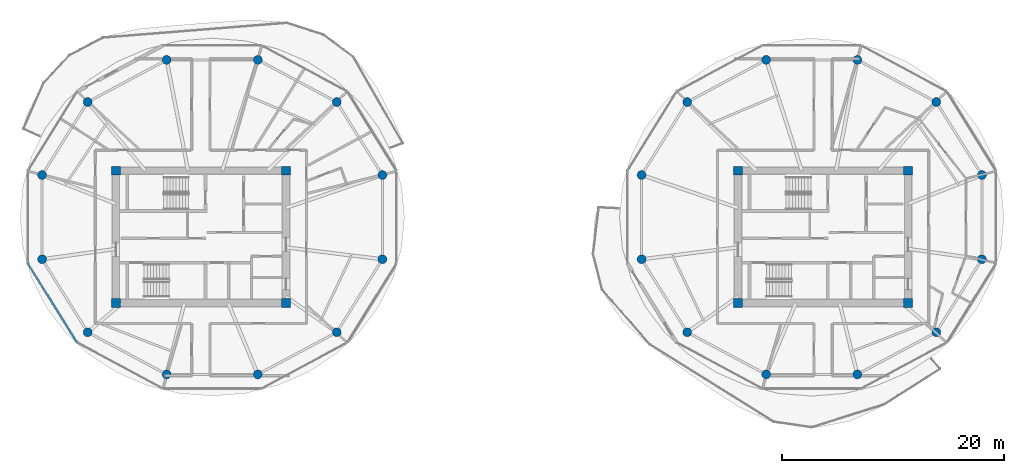
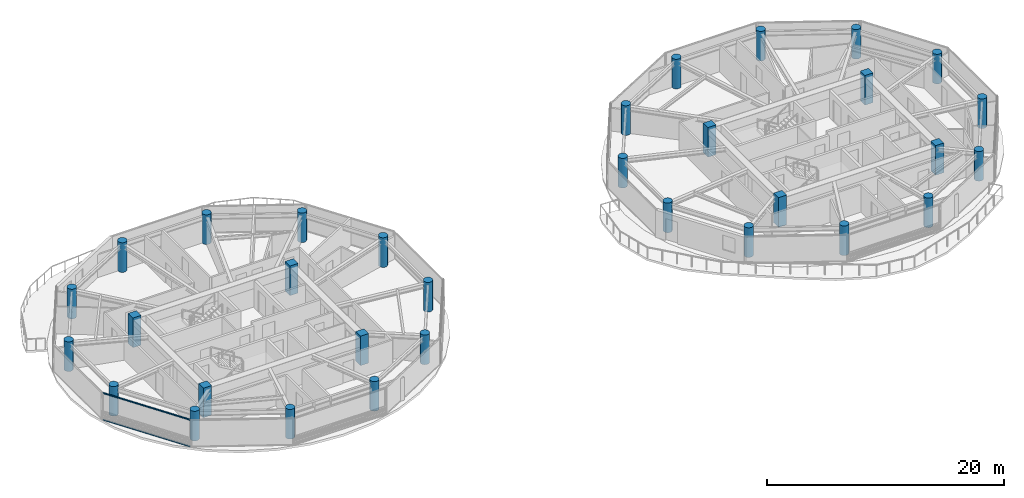
# One storey, part 1 of 21: 32 columns, 2 members, 1 element without a shape of its own.
"""IFC4 building model written with IfcOpenShell, lengths in metres."""

from ifc_helpers import new_model, si_unit, direction, frame, origin, origin_2d, place, context, subcontext, project, spatial, rectangle, circle, extrude, source, transform, mapped, material, layer, layer_set, material_profile, profile_set, type_object, type_shapes, element, aggregate, save


model = new_model("IFC4")

# Units and contexts
model_context = context("Model", 3, precision=1e-05, world=origin(), true_north=direction((0.0, 1.0)))
body_context = subcontext(model_context, "Body", "Model", "MODEL_VIEW")
ifc_project = project(units=[si_unit("LENGTHUNIT", "METRE"), si_unit("AREAUNIT", "SQUARE_METRE"), si_unit("VOLUMEUNIT", "CUBIC_METRE"), si_unit("PLANEANGLEUNIT", "RADIAN"), si_unit("MASSUNIT", "GRAM", prefix="KILO")], contexts=[model_context])

# Site, building, storey
site_placement = place(None, origin())
site = spatial("IfcSite", under=ifc_project, at=site_placement, CompositionType="ELEMENT")
building_placement = place(site_placement, origin())
building = spatial("IfcBuilding", under=site, at=building_placement, Name="Norrkilde Senior Care Towers", CompositionType="ELEMENT")
storey_placement = place(building_placement, frame((0.0, 0.0, 149.550048828125)))
storey = spatial("IfcBuildingStorey", under=building, at=storey_placement, Name="L46", CompositionType="ELEMENT", Elevation=149.550048828125)

# Columns
ifc_material_1 = material(Name="Concrete C60/75", Category="concrete")
ifc_material_profile_1 = material_profile(ifc_material_1, rectangle(XDim=0.800048828125, YDim=0.800048828125, at=origin_2d()), Name="RC COL 800x800")
ifc_profile_set_1 = profile_set([ifc_material_profile_1], Name="Concrete C60/75")
column_type_1 = type_object("IfcColumnType", Name="Column Core Corner Z3-Z4 800", PredefinedType="COLUMN", material=ifc_profile_set_1)
shared_shape_1 = source(origin(), body_context, "Body", "SweptSolid", [
    extrude(rectangle(XDim=0.800048828125, YDim=0.800048828125, at=origin_2d()), origin(), (0.0, 0.0, 1.0), 3.050048828125),
])
type_shapes(column_type_1, [shared_shape_1])
for number, where, z_axis, x_axis, name in (
    (1, (-35.64990234375, -5.949951171875, 0.0), (0.0, 0.0, 1.0), (1.0, 0.0, 0.0), "L46 Core W Corner Column 1"),
    (2, (-20.35009765625, -5.949951171875, 0.0), (0.0, 0.0, 1.0), (1.0, 0.0, 0.0), "L46 Core W Corner Column 2"),
    (3, (-20.35009765625, 5.949951171875, 0.0), (0.0, 0.0, 1.0), (1.0, 0.0, 0.0), "L46 Core W Corner Column 3"),
    (4, (-35.64990234375, 5.949951171875, 0.0), (0.0, 0.0, 1.0), (1.0, 0.0, 0.0), "L46 Core W Corner Column 4"),
    (5, (20.35009765625, -5.949951171875, 0.0), (0.0, 0.0, 1.0), (1.0, 0.0, 0.0), "L46 Core E Corner Column 1"),
    (6, (35.64990234375, -5.949951171875, 0.0), (0.0, 0.0, 1.0), (1.0, 0.0, 0.0), "L46 Core E Corner Column 2"),
    (7, (35.64990234375, 5.949951171875, 0.0), (0.0, 0.0, 1.0), (1.0, 0.0, 0.0), "L46 Core E Corner Column 3"),
    (8, (20.35009765625, 5.949951171875, 0.0), (0.0, 0.0, 1.0), (1.0, 0.0, 0.0), "L46 Core E Corner Column 4"),
):
    element("IfcColumn", number, at=place(storey_placement, frame(where, z_axis=z_axis, x_axis=x_axis)), inside=storey, type_object=column_type_1, Name=name, PredefinedType="COLUMN", context=body_context, shape_type="MappedRepresentation", body=[
        mapped(shared_shape_1, transform((0.0, 0.0, 0.0), x_axis=(1.0, 0.0, 0.0), y_axis=(0.0, 1.0, 0.0), z_axis=(0.0, 0.0, 1.0), scale=1.0)),
    ])
ifc_material_2 = material(Name="Concrete C50/60", Category="concrete")
ifc_material_profile_2 = material_profile(ifc_material_2, circle(Radius=0.39990234375, at=origin_2d()), Name="RC CIR 800")
ifc_profile_set_2 = profile_set([ifc_material_profile_2], Name="Concrete C50/60")
column_type_2 = type_object("IfcColumnType", Name="Column Perimeter Z3 800", PredefinedType="COLUMN", material=ifc_profile_set_2)
shared_shape_2 = source(origin(), body_context, "Body", "SweptSolid", [
    extrude(circle(Radius=0.39990234375, at=origin_2d()), origin(), (0.0, 0.0, 1.0), 3.050048828125),
])
type_shapes(column_type_2, [shared_shape_2])
for number, where, z_axis, x_axis, name in (
    (9, (-11.6650390625, 5.567138671875, 0.0), (0.0, 0.0, 1.0), (1.0, 0.0, 0.0), "L46 Drum W Perimeter Column 01"),
    (10, (-15.767333984375, 12.134521484375, 0.0), (0.0, 0.0, 1.0), (1.0, 0.0, 0.0), "L46 Drum W Perimeter Column 02"),
    (11, (-22.872802734375, 15.92626953125, 0.0), (0.0, 0.0, 1.0), (1.0, 0.0, 0.0), "L46 Drum W Perimeter Column 03"),
    (12, (-31.077392578125, 15.92626953125, 0.0), (0.0, 0.0, 1.0), (1.0, 0.0, 0.0), "L46 Drum W Perimeter Column 04"),
    (13, (-38.1826171875, 12.134521484375, 0.0), (0.0, 0.0, 1.0), (1.0, 0.0, 0.0), "L46 Drum W Perimeter Column 05"),
    (14, (-42.284912109375, 5.567138671875, 0.0), (0.0, 0.0, 1.0), (1.0, 0.0, 0.0), "L46 Drum W Perimeter Column 06"),
    (15, (-42.284912109375, -2.016357421875, 0.0), (0.0, 0.0, 1.0), (1.0, 0.0, 0.0), "L46 Drum W Perimeter Column 07"),
    (16, (-38.1826171875, -8.583740234375, 0.0), (0.0, 0.0, 1.0), (1.0, 0.0, 0.0), "L46 Drum W Perimeter Column 08"),
    (17, (-31.077392578125, -12.37548828125, 0.0), (0.0, 0.0, 1.0), (1.0, 0.0, 0.0), "L46 Drum W Perimeter Column 09"),
    (18, (-22.872802734375, -12.37548828125, 0.0), (0.0, 0.0, 1.0), (1.0, 0.0, 0.0), "L46 Drum W Perimeter Column 10"),
    (19, (-15.767333984375, -8.583740234375, 0.0), (0.0, 0.0, 1.0), (1.0, 0.0, 0.0), "L46 Drum W Perimeter Column 11"),
    (20, (-11.6650390625, -2.016357421875, 0.0), (0.0, 0.0, 1.0), (1.0, 0.0, 0.0), "L46 Drum W Perimeter Column 12"),
    (21, (42.284912109375, 5.567138671875, 0.0), (0.0, 0.0, 1.0), (1.0, 0.0, 0.0), "L46 Drum E Perimeter Column 01"),
    (22, (38.1826171875, 12.134521484375, 0.0), (0.0, 0.0, 1.0), (1.0, 0.0, 0.0), "L46 Drum E Perimeter Column 02"),
    (23, (31.077392578125, 15.92626953125, 0.0), (0.0, 0.0, 1.0), (1.0, 0.0, 0.0), "L46 Drum E Perimeter Column 03"),
    (24, (22.872802734375, 15.92626953125, 0.0), (0.0, 0.0, 1.0), (1.0, 0.0, 0.0), "L46 Drum E Perimeter Column 04"),
    (25, (15.767333984375, 12.134521484375, 0.0), (0.0, 0.0, 1.0), (1.0, 0.0, 0.0), "L46 Drum E Perimeter Column 05"),
    (26, (11.6650390625, 5.567138671875, 0.0), (0.0, 0.0, 1.0), (1.0, 0.0, 0.0), "L46 Drum E Perimeter Column 06"),
    (27, (11.6650390625, -2.016357421875, 0.0), (0.0, 0.0, 1.0), (1.0, 0.0, 0.0), "L46 Drum E Perimeter Column 07"),
    (28, (15.767333984375, -8.583740234375, 0.0), (0.0, 0.0, 1.0), (1.0, 0.0, 0.0), "L46 Drum E Perimeter Column 08"),
    (29, (22.872802734375, -12.37548828125, 0.0), (0.0, 0.0, 1.0), (1.0, 0.0, 0.0), "L46 Drum E Perimeter Column 09"),
    (30, (31.077392578125, -12.37548828125, 0.0), (0.0, 0.0, 1.0), (1.0, 0.0, 0.0), "L46 Drum E Perimeter Column 10"),
    (31, (38.1826171875, -8.583740234375, 0.0), (0.0, 0.0, 1.0), (1.0, 0.0, 0.0), "L46 Drum E Perimeter Column 11"),
    (32, (42.284912109375, -2.016357421875, 0.0), (0.0, 0.0, 1.0), (1.0, 0.0, 0.0), "L46 Drum E Perimeter Column 12"),
):
    element("IfcColumn", number, at=place(storey_placement, frame(where, z_axis=z_axis, x_axis=x_axis)), inside=storey, type_object=column_type_2, Name=name, PredefinedType="COLUMN", context=body_context, shape_type="MappedRepresentation", body=[
        mapped(shared_shape_2, transform((0.0, 0.0, 0.0), x_axis=(1.0, 0.0, 0.0), y_axis=(0.0, 1.0, 0.0), z_axis=(0.0, 0.0, 1.0), scale=1.0)),
    ])

# Curtain wall, members
ifc_material_3 = material(Name="Triple Low-E Insulated Glazing", Category="glass")
ifc_layer = layer(ifc_material_3, 0.18994140625)
ifc_layer_set = layer_set([ifc_layer], Name="Triple Low-E Insulated Glazing")
curtain_wall_type = type_object("IfcCurtainWallType", Name="CW4 Zone 3 Senior Residence Curtain Wall", PredefinedType="NOTDEFINED", material=ifc_layer_set)
curtain_wall_placement = place(storey_placement, origin())
curtain_wall = element("IfcCurtainWall", 33, at=curtain_wall_placement, inside=storey, type_object=curtain_wall_type, Name="L46 Drum W Curtain Wall 06", PredefinedType="NOTDEFINED")
ifc_material_4 = material(Name="Anodised Aluminium", Category="aluminium")
ifc_material_profile_3 = material_profile(ifc_material_4, rectangle(XDim=0.06005859375, YDim=0.1201171875, at=origin_2d()), Name="ALU TRAN 60x120")
ifc_profile_set_3 = profile_set([ifc_material_profile_3], Name="Anodised Aluminium")
member_type = type_object("IfcMemberType", Name="Curtain Wall Transom Typical 60x120", PredefinedType="USERDEFINED", material=ifc_profile_set_3)
shared_shape_3 = source(origin(), body_context, "Body", "SweptSolid", [
    extrude(rectangle(XDim=0.06005859375, YDim=0.1201171875, at=origin_2d()), origin(), (0.0, 0.0, 1.0), 8.301513671875),
])
type_shapes(member_type, [shared_shape_3])
member_1_placement = place(storey_placement, frame((-39.157470703125, -9.468994140625, 0.030029296875), z_axis=(-0.527368718394, 0.849636531029, 0.0), x_axis=(-0.849636531029, -0.527368718394, 0.0)))
member_1 = element("IfcMember", 34, at=member_1_placement, type_object=member_type, Name="CW-4 transom 1.1", ObjectType="TRANSOM", PredefinedType="USERDEFINED", context=body_context, shape_type="MappedRepresentation", body=[
    mapped(shared_shape_3, transform((0.0, 0.0, 0.0), x_axis=(1.0, 0.0, 0.0), y_axis=(0.0, 1.0, 0.0), z_axis=(0.0, 0.0, 1.0), scale=1.0)),
])
member_2_placement = place(storey_placement, frame((-39.157470703125, -9.468994140625, 2.780029296875), z_axis=(-0.527368718394, 0.849636531029, 0.0), x_axis=(-0.849636531029, -0.527368718394, 0.0)))
member_2 = element("IfcMember", 35, at=member_2_placement, type_object=member_type, Name="CW-4 transom 1.2", ObjectType="TRANSOM", PredefinedType="USERDEFINED", context=body_context, shape_type="MappedRepresentation", body=[
    mapped(shared_shape_3, transform((0.0, 0.0, 0.0), x_axis=(1.0, 0.0, 0.0), y_axis=(0.0, 1.0, 0.0), z_axis=(0.0, 0.0, 1.0), scale=1.0)),
])
aggregate(curtain_wall, [member_1, member_2])

save(model, "model.ifc")
